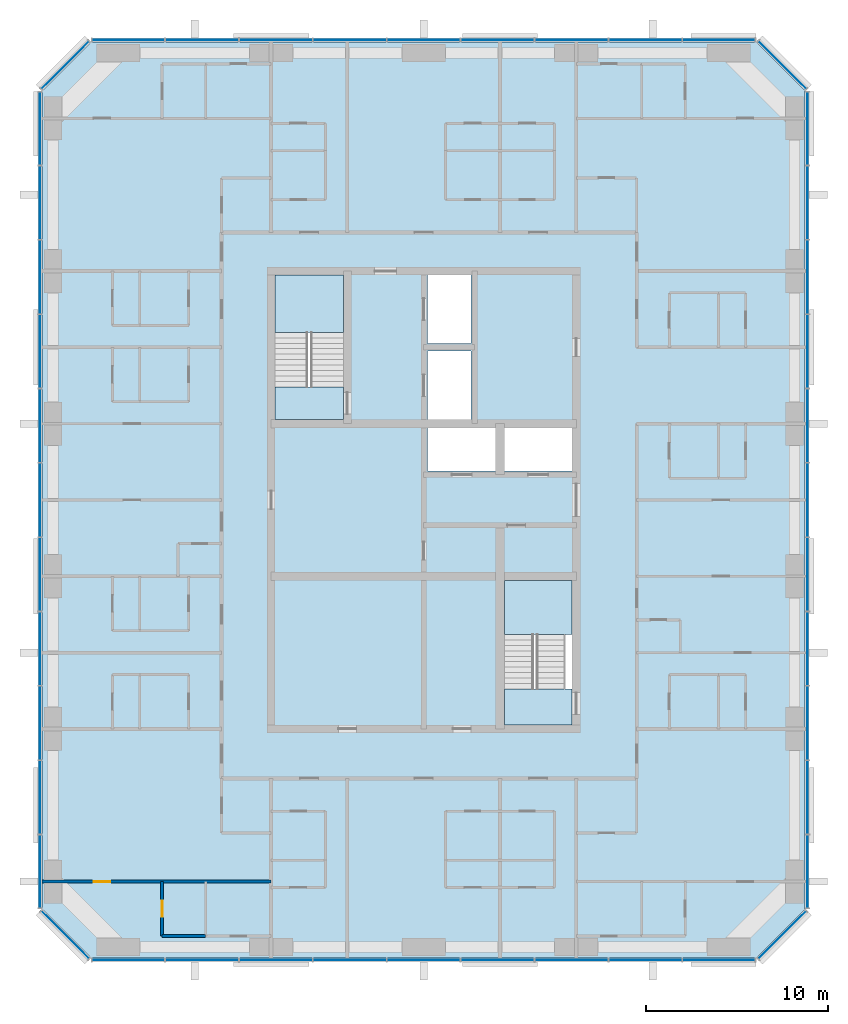
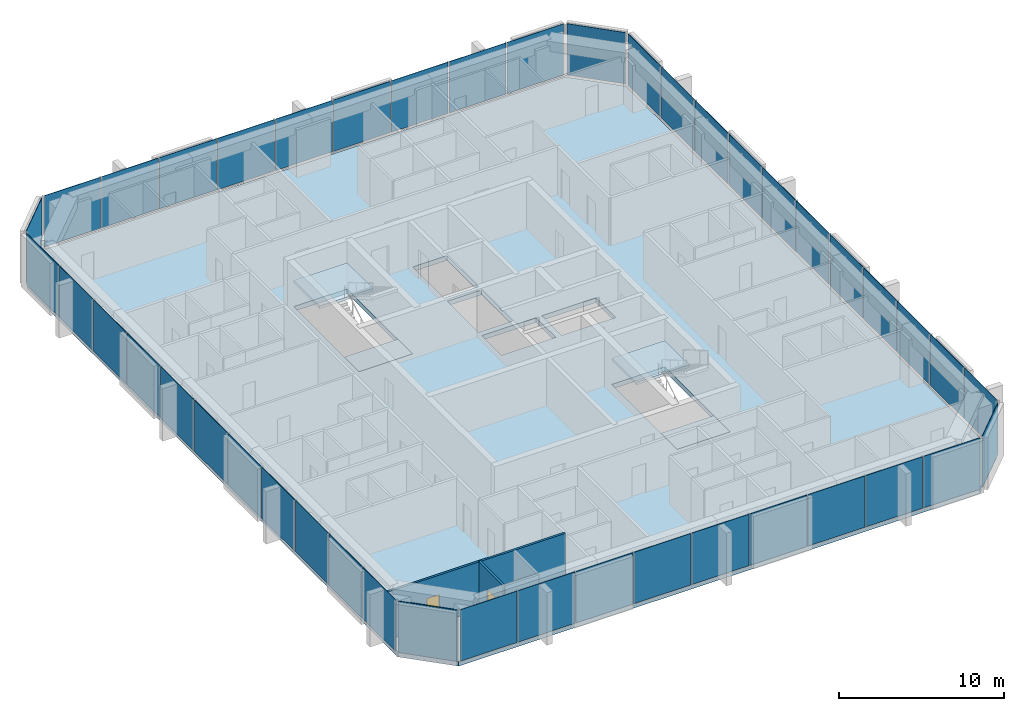
# One storey, part 6 of 12: 44 plates, 5 slabs, 3 walls, 2 doors, 2 openings, 10 elements without a shape of their own.
"""IFC4 building model written with IfcOpenShell, lengths in metres."""

import ifcopenshell
import ifcopenshell.guid

model = None  # the IFC model being written
_history = None  # IfcOwnerHistory: only IFC2X3 demands one
_inside = {}  # id of a spatial element -> (the spatial element, [elements in it])
_under = {}  # id of a project, library or spatial element -> (it, [spatial elements below it])
_declared = {}  # id of a project -> (the project, [libraries it declares])
_typed = {}  # id of a type object -> (the type object, [elements of that type])
_made_of = {}  # id of a material, layer set ... -> (it, [elements and type objects made of it])


def new_model(schema):
    """Start an empty IFC model of exactly this schema.

    Asked for "IFC4X3", IfcOpenShell would pick the latest addendum, in which some entities
    have other attributes; the version numbers below select the first issue.
    IFC2X3 requires an IfcOwnerHistory on every rooted entity: one is made here for all.
    """
    global model, _history
    if schema == "IFC4X3":
        model = ifcopenshell.file(schema_version=(4, 3, 0, 0))
    else:
        model = ifcopenshell.file(schema=schema)
    _inside.clear()
    _under.clear()
    _declared.clear()
    _typed.clear()
    _made_of.clear()
    _history = None
    if model.schema == "IFC2X3":
        org = make("IfcOrganization", Name="unknown")
        user = make(
            "IfcPersonAndOrganization",
            ThePerson=make("IfcPerson", FamilyName="unknown"),
            TheOrganization=org,
        )
        app = make(
            "IfcApplication",
            ApplicationDeveloper=org,
            Version="unknown",
            ApplicationFullName="unknown",
            ApplicationIdentifier="unknown",
        )
        _history = make(
            "IfcOwnerHistory",
            OwningUser=user,
            OwningApplication=app,
            ChangeAction="ADDED",
            CreationDate=0,
        )
    return model


def make(cls, **values):
    """One entity of the class cls with the attributes given. An attribute that is None is left unset."""
    return model.create_entity(
        cls, **{name: value for name, value in values.items() if value is not None}
    )


def rooted(cls, **values):
    """An entity with a GlobalId (a new one), such as an element, a storey or a relation."""
    return make(cls, GlobalId=ifcopenshell.guid.new(), OwnerHistory=_history, **values)


def si_unit(unit_type, name, prefix=None):
    """IfcSIUnit, for example si_unit("LENGTHUNIT", "METRE", prefix="MILLI")."""
    return make("IfcSIUnit", UnitType=unit_type, Prefix=prefix, Name=name)


def assignment(units):
    """IfcUnitAssignment: the units of a project."""
    return None if units is None else make("IfcUnitAssignment", Units=units)


def point(xyz):
    """IfcCartesianPoint."""
    return None if xyz is None else make("IfcCartesianPoint", Coordinates=xyz)


def direction(xyz):
    """IfcDirection."""
    return None if xyz is None else make("IfcDirection", DirectionRatios=xyz)


def frame(location, z_axis=None, x_axis=None):
    """IfcAxis2Placement3D, a coordinate frame: its origin and axes. An axis left out is left unset."""
    return make(
        "IfcAxis2Placement3D",
        Location=point(location),
        Axis=direction(z_axis),
        RefDirection=direction(x_axis),
    )


def frame_2d(location, x_axis=None):
    """IfcAxis2Placement2D, a coordinate frame in the plane: its origin and x axis."""
    return make(
        "IfcAxis2Placement2D", Location=point(location), RefDirection=direction(x_axis)
    )


def origin():
    """The frame at (0, 0, 0) with its axes left unset."""
    return frame((0.0, 0.0, 0.0))


def origin_2d():
    """The frame at (0, 0) in the plane with its x axis left unset."""
    return frame_2d((0.0, 0.0))


def place(relative_to, where):
    """IfcLocalPlacement: puts the frame where relative to a parent placement (None: the world)."""
    return make(
        "IfcLocalPlacement", PlacementRelTo=relative_to, RelativePlacement=where
    )


def context(
    kind, dimensions, precision=None, world=None, true_north=None, identifier=None
):
    """IfcGeometricRepresentationContext, for example the 3D "Model" context."""
    return make(
        "IfcGeometricRepresentationContext",
        ContextIdentifier=identifier,
        ContextType=kind,
        CoordinateSpaceDimension=dimensions,
        Precision=precision,
        WorldCoordinateSystem=world,
        TrueNorth=true_north,
    )


def subcontext(parent, identifier, kind, view, scale=None):
    """IfcGeometricRepresentationSubContext, for example "Body" below "Model"."""
    return make(
        "IfcGeometricRepresentationSubContext",
        ContextIdentifier=identifier,
        ContextType=kind,
        ParentContext=parent,
        TargetScale=scale,
        TargetView=view,
    )


def project(units=None, contexts=None):
    """IfcProject with its units and contexts."""
    return rooted(
        "IfcProject",
        Name="project",
        RepresentationContexts=contexts,
        UnitsInContext=assignment(units),
    )


def spatial(cls, under=None, at=None, **own):
    """A site, building, storey or space (cls), placed at a placement, below another one or the project."""
    s = rooted(cls, ObjectPlacement=at, **own)
    if under is not None:
        _under.setdefault(under.id(), (under, []))[1].append(s)
    return s


def polyline(points):
    """IfcPolyline through the points."""
    return make("IfcPolyline", Points=[point(p) for p in points])


def profile(cls, at=None, kind="AREA", **sizes):
    """A parametric profile (cls). Its sizes go by their IFC names, for example OverallWidth=200.0."""
    return make(cls, ProfileType=kind, Position=at, **sizes)


def rectangle(**sizes):
    """IfcRectangleProfileDef."""
    return profile("IfcRectangleProfileDef", **sizes)


def outline(outer, holes=None, kind="AREA"):
    """IfcArbitraryClosedProfileDef: a profile drawn as a closed curve; with holes, ...WithVoids."""
    if holes is None:
        return make("IfcArbitraryClosedProfileDef", ProfileType=kind, OuterCurve=outer)
    return make(
        "IfcArbitraryProfileDefWithVoids",
        ProfileType=kind,
        OuterCurve=outer,
        InnerCurves=holes,
    )


def extrude(swept, where, along, depth):
    """IfcExtrudedAreaSolid: the profile swept, set in the frame where, extruded along a direction by depth."""
    return make(
        "IfcExtrudedAreaSolid",
        SweptArea=swept,
        Position=where,
        ExtrudedDirection=direction(along),
        Depth=depth,
    )


def shape(context_of_items, identifier, shape_type, items):
    """IfcShapeRepresentation: the items that make up one representation, for example the "Body"."""
    return make(
        "IfcShapeRepresentation",
        ContextOfItems=context_of_items,
        RepresentationIdentifier=identifier,
        RepresentationType=shape_type,
        Items=items,
    )


def material(Name=None, Category=None):
    """IfcMaterial."""
    return make("IfcMaterial", Name=Name, Category=Category)


def layer(
    of_material, thickness, ventilated=None, Name=None, Category=None, Priority=None
):
    """IfcMaterialLayer: one layer of a wall or slab, of a material (None: an air gap)."""
    return make(
        "IfcMaterialLayer",
        Material=of_material,
        LayerThickness=thickness,
        IsVentilated=ventilated,
        Name=Name,
        Category=Category,
        Priority=Priority,
    )


def layer_set(layers, Name=None):
    """IfcMaterialLayerSet."""
    return make("IfcMaterialLayerSet", MaterialLayers=layers, LayerSetName=Name)


def made_of(thing, what):
    """Note that an element or type object is made of a material, layer set ...; save() writes the relation."""
    if what is not None:
        _made_of.setdefault(what.id(), (what, []))[1].append(thing)
    return thing


def type_object(cls, material=None, **own):
    """A type object (cls), such as IfcWallType, which elements share."""
    return made_of(rooted(cls, **own), material)


def element(
    cls,
    number,
    at=None,
    inside=None,
    cuts=None,
    type_object=None,
    material=None,
    context=None,
    identifier="Body",
    shape_type=None,
    held_by="IfcProductDefinitionShape",
    body=None,
    shapes=None,
    **own,
):
    """One element of the class cls, such as IfcWall. Its Tag is "e" and its number.

    at: its placement. inside: the storey or other place that contains it. cuts: it is an
    opening in that element (IfcRelVoidsElement). A single representation is given by context,
    identifier, shape_type and body (its items); several are given by shapes. held_by: the class
    of the entity that holds the representations. save() writes the other relations.
    """
    e = rooted(cls, Tag="e%d" % number, ObjectPlacement=at, **own)
    if body is not None:
        shapes = [shape(context, identifier, shape_type, body)]
    if shapes is not None:
        e.Representation = make(held_by, Representations=shapes)
    if inside is not None:
        _inside.setdefault(inside.id(), (inside, []))[1].append(e)
    if cuts is not None:
        rooted(
            "IfcRelVoidsElement", RelatingBuildingElement=cuts, RelatedOpeningElement=e
        )
    if type_object is not None:
        _typed.setdefault(type_object.id(), (type_object, []))[1].append(e)
    return made_of(e, material)


def fill(opening, filler):
    """IfcRelFillsElement: the door or window that sits in an opening."""
    return rooted(
        "IfcRelFillsElement",
        RelatingOpeningElement=opening,
        RelatedBuildingElement=filler,
    )


def aggregate(whole, parts):
    """IfcRelAggregates: a whole, such as a stair, and the parts it consists of."""
    return rooted("IfcRelAggregates", RelatingObject=whole, RelatedObjects=parts)


def save(model, path):
    """Write the relations noted so far, then the file.

    IfcRelAggregates (storeys below a building ...), IfcRelContainedInSpatialStructure (elements
    in a storey), IfcRelDefinesByType, IfcRelAssociatesMaterial and IfcRelDeclares: one each for
    every whole, place, type object, material and project.
    """
    for whole, parts in _under.values():
        aggregate(whole, parts)
    for where, things in _inside.values():
        rooted(
            "IfcRelContainedInSpatialStructure",
            RelatedElements=things,
            RelatingStructure=where,
        )
    for kind, things in _typed.values():
        rooted("IfcRelDefinesByType", RelatedObjects=things, RelatingType=kind)
    for what, things in _made_of.values():
        rooted("IfcRelAssociatesMaterial", RelatedObjects=things, RelatingMaterial=what)
    for by, libraries in _declared.values():
        rooted("IfcRelDeclares", RelatingContext=by, RelatedDefinitions=libraries)
    model.write(path)


model = new_model("IFC4")

# Units and contexts
model_context = context("Model", 3, precision=1e-05, world=origin(), true_north=direction((0.0, 1.0)))
body_context = subcontext(model_context, "Body", "Model", "MODEL_VIEW")
ifc_project = project(units=[si_unit("LENGTHUNIT", "METRE"), si_unit("AREAUNIT", "SQUARE_METRE"), si_unit("VOLUMEUNIT", "CUBIC_METRE"), si_unit("PLANEANGLEUNIT", "RADIAN"), si_unit("MASSUNIT", "GRAM", prefix="KILO")], contexts=[model_context])

# Site, building, storey
site_placement = place(None, origin())
site = spatial("IfcSite", under=ifc_project, at=site_placement, CompositionType="ELEMENT")
building_placement = place(site_placement, origin())
building = spatial("IfcBuilding", under=site, at=building_placement, Name="Dunama Terrace Hotel", CompositionType="ELEMENT")
storey_placement = place(building_placement, frame((0.0, 0.0, 264.60009765625)))
storey = spatial("IfcBuildingStorey", under=building, at=storey_placement, Name="L68", CompositionType="ELEMENT", Elevation=264.60009765625)

# Curtain wall, plates
ifc_material_1 = material(Name="Aluminium curtain wall system", Category="aluminium")
curtain_wall_type = type_object("IfcCurtainWallType", Name="Unitised fritted glass wall CW-D", PredefinedType="NOTDEFINED", material=ifc_material_1)
curtain_wall_1_placement = place(storey_placement, origin())
curtain_wall_1 = element("IfcCurtainWall", 1, at=curtain_wall_1_placement, inside=storey, type_object=curtain_wall_type, Name="Unitised fritted glass wall CW-D L68", PredefinedType="NOTDEFINED")
ifc_material_2 = material(Name="Laminated glass", Category="glass")
ifc_layer_1 = layer(ifc_material_2, 0.035888671875)
ifc_layer_set_1 = layer_set([ifc_layer_1], Name="CWD clear glass panel")
plate_type_1 = type_object("IfcPlateType", Name="CWD clear glass panel", PredefinedType="CURTAIN_PANEL", material=ifc_layer_set_1)
plate_1_placement = place(storey_placement, frame((17.35107421875, 4.080078125, 0.0849609375), z_axis=(0.0, 0.0, 1.0), x_axis=(1.0, 0.0, 0.0)))
plate_1 = element("IfcPlate", 2, at=plate_1_placement, type_object=plate_type_1, Name="CWD clear glass panel", PredefinedType="CURTAIN_PANEL", context=body_context, shape_type="SweptSolid", body=[
    extrude(rectangle(XDim=3.961669921875, YDim=0.035888671875, at=origin_2d()), origin(), (0.0, 0.0, 1.0), 3.81494140625),
])
plate_2_placement = place(storey_placement, frame((29.532958984375, 4.080078125, 0.0849609375), z_axis=(0.0, 0.0, 1.0), x_axis=(1.0, 0.0, 0.0)))
plate_2 = element("IfcPlate", 3, at=plate_2_placement, type_object=plate_type_1, Name="CWD clear glass panel", PredefinedType="CURTAIN_PANEL", context=body_context, shape_type="SweptSolid", body=[
    extrude(rectangle(XDim=3.99658203125, YDim=0.035888671875, at=origin_2d()), origin(), (0.0, 0.0, 1.0), 3.81494140625),
])
plate_3_placement = place(storey_placement, frame((41.73291015625, 4.080078125, 0.0849609375), z_axis=(0.0, 0.0, 1.0), x_axis=(1.0, 0.0, 0.0)))
plate_3 = element("IfcPlate", 4, at=plate_3_placement, type_object=plate_type_1, Name="CWD clear glass panel", PredefinedType="CURTAIN_PANEL", context=body_context, shape_type="SweptSolid", body=[
    extrude(rectangle(XDim=3.99658203125, YDim=0.035888671875, at=origin_2d()), origin(), (0.0, 0.0, 1.0), 3.81494140625),
])

# Curtain wall, plate
curtain_wall_2_placement = place(storey_placement, origin())
curtain_wall_2 = element("IfcCurtainWall", 5, at=curtain_wall_2_placement, inside=storey, type_object=curtain_wall_type, Name="Unitised fritted glass wall CW-D L68", PredefinedType="NOTDEFINED")
plate_4_placement = place(storey_placement, frame((53.3349609375, 5.465087890625, 0.0849609375), z_axis=(0.0, 0.0, 1.0), x_axis=(0.707106781187, 0.707106781187, 0.0)))
plate_4 = element("IfcPlate", 6, at=plate_4_placement, type_object=plate_type_1, Name="CWD clear glass panel", PredefinedType="CURTAIN_PANEL", context=body_context, shape_type="SweptSolid", body=[
    extrude(rectangle(XDim=3.678466796875, YDim=0.035888671875, at=origin_2d()), origin(), (0.0, 0.0, 1.0), 3.81494140625),
])
aggregate(curtain_wall_2, [plate_4])

# Curtain wall, plates
curtain_wall_3_placement = place(storey_placement, origin())
curtain_wall_3 = element("IfcCurtainWall", 7, at=curtain_wall_3_placement, inside=storey, type_object=curtain_wall_type, Name="Unitised fritted glass wall CW-D L68", PredefinedType="NOTDEFINED")
plate_5_placement = place(storey_placement, frame((54.719970703125, 17.126953125, 0.0849609375), z_axis=(0.0, 0.0, 1.0), x_axis=(0.0, 1.0, 0.0)))
plate_5 = element("IfcPlate", 8, at=plate_5_placement, type_object=plate_type_1, Name="CWD clear glass panel", PredefinedType="CURTAIN_PANEL", context=body_context, shape_type="SweptSolid", body=[
    extrude(rectangle(XDim=4.02099609375, YDim=0.035888671875, at=origin_2d()), origin(), (0.0, 0.0, 1.0), 3.81494140625),
])
plate_6_placement = place(storey_placement, frame((54.719970703125, 29.39990234375, 0.0849609375), z_axis=(0.0, 0.0, 1.0), x_axis=(0.0, 1.0, 0.0)))
plate_6 = element("IfcPlate", 9, at=plate_6_placement, type_object=plate_type_1, Name="CWD clear glass panel", PredefinedType="CURTAIN_PANEL", context=body_context, shape_type="SweptSolid", body=[
    extrude(rectangle(XDim=4.02099609375, YDim=0.035888671875, at=origin_2d()), origin(), (0.0, 0.0, 1.0), 3.81494140625),
])
plate_7_placement = place(storey_placement, frame((54.719970703125, 41.673095703125, 0.0849609375), z_axis=(0.0, 0.0, 1.0), x_axis=(0.0, 1.0, 0.0)))
plate_7 = element("IfcPlate", 10, at=plate_7_placement, type_object=plate_type_1, Name="CWD clear glass panel", PredefinedType="CURTAIN_PANEL", context=body_context, shape_type="SweptSolid", body=[
    extrude(rectangle(XDim=4.02099609375, YDim=0.035888671875, at=origin_2d()), origin(), (0.0, 0.0, 1.0), 3.81494140625),
])

# Curtain wall, plate
curtain_wall_4_placement = place(storey_placement, origin())
curtain_wall_4 = element("IfcCurtainWall", 11, at=curtain_wall_4_placement, inside=storey, type_object=curtain_wall_type, Name="Unitised fritted glass wall CW-D L68", PredefinedType="NOTDEFINED")
plate_8_placement = place(storey_placement, frame((53.3349609375, 53.3349609375, 0.0849609375), z_axis=(0.0, 0.0, 1.0), x_axis=(-0.707106781187, 0.707106781187, 0.0)))
plate_8 = element("IfcPlate", 12, at=plate_8_placement, type_object=plate_type_1, Name="CWD clear glass panel", PredefinedType="CURTAIN_PANEL", context=body_context, shape_type="SweptSolid", body=[
    extrude(rectangle(XDim=3.678466796875, YDim=0.035888671875, at=origin_2d()), origin(), (0.0, 0.0, 1.0), 3.81494140625),
])
aggregate(curtain_wall_4, [plate_8])

# Curtain wall, plates
curtain_wall_5_placement = place(storey_placement, origin())
curtain_wall_5 = element("IfcCurtainWall", 13, at=curtain_wall_5_placement, inside=storey, type_object=curtain_wall_type, Name="Unitised fritted glass wall CW-D L68", PredefinedType="NOTDEFINED")
plate_9_placement = place(storey_placement, frame((41.73291015625, 54.719970703125, 0.0849609375), z_axis=(0.0, 0.0, 1.0), x_axis=(-1.0, 0.0, 0.0)))
plate_9 = element("IfcPlate", 14, at=plate_9_placement, type_object=plate_type_1, Name="CWD clear glass panel", PredefinedType="CURTAIN_PANEL", context=body_context, shape_type="SweptSolid", body=[
    extrude(rectangle(XDim=3.99658203125, YDim=0.035888671875, at=origin_2d()), origin(), (0.0, 0.0, 1.0), 3.81494140625),
])
plate_10_placement = place(storey_placement, frame((29.532958984375, 54.719970703125, 0.0849609375), z_axis=(0.0, 0.0, 1.0), x_axis=(-1.0, 0.0, 0.0)))
plate_10 = element("IfcPlate", 15, at=plate_10_placement, type_object=plate_type_1, Name="CWD clear glass panel", PredefinedType="CURTAIN_PANEL", context=body_context, shape_type="SweptSolid", body=[
    extrude(rectangle(XDim=3.99658203125, YDim=0.035888671875, at=origin_2d()), origin(), (0.0, 0.0, 1.0), 3.81494140625),
])
plate_11_placement = place(storey_placement, frame((17.35107421875, 54.719970703125, 0.0849609375), z_axis=(0.0, 0.0, 1.0), x_axis=(-1.0, 0.0, 0.0)))
plate_11 = element("IfcPlate", 16, at=plate_11_placement, type_object=plate_type_1, Name="CWD clear glass panel", PredefinedType="CURTAIN_PANEL", context=body_context, shape_type="SweptSolid", body=[
    extrude(rectangle(XDim=3.961669921875, YDim=0.035888671875, at=origin_2d()), origin(), (0.0, 0.0, 1.0), 3.81494140625),
])

curtain_wall_6_placement = place(storey_placement, origin())
curtain_wall_6 = element("IfcCurtainWall", 17, at=curtain_wall_6_placement, inside=storey, type_object=curtain_wall_type, Name="Unitised fritted glass wall CW-D L68", PredefinedType="NOTDEFINED")
plate_12_placement = place(storey_placement, frame((12.47998046875, 45.763916015625, 0.0849609375), z_axis=(0.0, 0.0, 1.0), x_axis=(0.0, -1.0, 0.0)))
plate_12 = element("IfcPlate", 18, at=plate_12_placement, type_object=plate_type_1, Name="CWD clear glass panel", PredefinedType="CURTAIN_PANEL", context=body_context, shape_type="SweptSolid", body=[
    extrude(rectangle(XDim=4.02099609375, YDim=0.035888671875, at=origin_2d()), origin(), (0.0, 0.0, 1.0), 3.81494140625),
])
plate_13_placement = place(storey_placement, frame((12.47998046875, 33.490966796875, 0.0849609375), z_axis=(0.0, 0.0, 1.0), x_axis=(0.0, -1.0, 0.0)))
plate_13 = element("IfcPlate", 19, at=plate_13_placement, type_object=plate_type_1, Name="CWD clear glass panel", PredefinedType="CURTAIN_PANEL", context=body_context, shape_type="SweptSolid", body=[
    extrude(rectangle(XDim=4.02099609375, YDim=0.035888671875, at=origin_2d()), origin(), (0.0, 0.0, 1.0), 3.81494140625),
])
plate_14_placement = place(storey_placement, frame((12.47998046875, 21.218017578125, 0.0849609375), z_axis=(0.0, 0.0, 1.0), x_axis=(0.0, -1.0, 0.0)))
plate_14 = element("IfcPlate", 20, at=plate_14_placement, type_object=plate_type_1, Name="CWD clear glass panel", PredefinedType="CURTAIN_PANEL", context=body_context, shape_type="SweptSolid", body=[
    extrude(rectangle(XDim=4.02099609375, YDim=0.035888671875, at=origin_2d()), origin(), (0.0, 0.0, 1.0), 3.81494140625),
])
plate_15_placement = place(storey_placement, frame((12.47998046875, 8.962890625, 0.0849609375), z_axis=(0.0, 0.0, 1.0), x_axis=(0.0, -1.0, 0.0)))
plate_15 = element("IfcPlate", 21, at=plate_15_placement, type_object=plate_type_1, Name="CWD clear glass panel", PredefinedType="CURTAIN_PANEL", context=body_context, shape_type="SweptSolid", body=[
    extrude(rectangle(XDim=3.98583984375, YDim=0.035888671875, at=origin_2d()), origin(), (0.0, 0.0, 1.0), 3.81494140625),
])

# Plate
ifc_material_3 = material(Name="Fritted laminated glass", Category="glass")
ifc_layer_2 = layer(ifc_material_3, 0.035888671875)
ifc_layer_set_2 = layer_set([ifc_layer_2], Name="CWD fritted glass panel")
plate_type_2 = type_object("IfcPlateType", Name="CWD fritted glass panel", PredefinedType="CURTAIN_PANEL", material=ifc_layer_set_2)
plate_16_placement = place(storey_placement, frame((25.467041015625, 4.080078125, 0.0849609375), z_axis=(0.0, 0.0, 1.0), x_axis=(1.0, 0.0, 0.0)))
plate_16 = element("IfcPlate", 22, at=plate_16_placement, type_object=plate_type_2, Name="CWD fritted glass panel", PredefinedType="CURTAIN_PANEL", context=body_context, shape_type="SweptSolid", body=[
    extrude(rectangle(XDim=3.99658203125, YDim=0.035888671875, at=origin_2d()), origin(), (0.0, 0.0, 1.0), 3.81494140625),
])

plate_17_placement = place(storey_placement, frame((37.6669921875, 4.080078125, 0.0849609375), z_axis=(0.0, 0.0, 1.0), x_axis=(1.0, 0.0, 0.0)))
plate_17 = element("IfcPlate", 23, at=plate_17_placement, type_object=plate_type_2, Name="CWD fritted glass panel", PredefinedType="CURTAIN_PANEL", context=body_context, shape_type="SweptSolid", body=[
    extrude(rectangle(XDim=3.99658203125, YDim=0.035888671875, at=origin_2d()), origin(), (0.0, 0.0, 1.0), 3.81494140625),
])

plate_18_placement = place(storey_placement, frame((49.84912109375, 4.080078125, 0.0849609375), z_axis=(0.0, 0.0, 1.0), x_axis=(1.0, 0.0, 0.0)))
plate_18 = element("IfcPlate", 24, at=plate_18_placement, type_object=plate_type_2, Name="CWD fritted glass panel", PredefinedType="CURTAIN_PANEL", context=body_context, shape_type="SweptSolid", body=[
    extrude(rectangle(XDim=3.961669921875, YDim=0.035888671875, at=origin_2d()), origin(), (0.0, 0.0, 1.0), 3.81494140625),
])

plate_19_placement = place(storey_placement, frame((54.719970703125, 13.035888671875, 0.0849609375), z_axis=(0.0, 0.0, 1.0), x_axis=(0.0, 1.0, 0.0)))
plate_19 = element("IfcPlate", 25, at=plate_19_placement, type_object=plate_type_2, Name="CWD fritted glass panel", PredefinedType="CURTAIN_PANEL", context=body_context, shape_type="SweptSolid", body=[
    extrude(rectangle(XDim=4.02099609375, YDim=0.035888671875, at=origin_2d()), origin(), (0.0, 0.0, 1.0), 3.81494140625),
])

plate_20_placement = place(storey_placement, frame((54.719970703125, 25.30908203125, 0.0849609375), z_axis=(0.0, 0.0, 1.0), x_axis=(0.0, 1.0, 0.0)))
plate_20 = element("IfcPlate", 26, at=plate_20_placement, type_object=plate_type_2, Name="CWD fritted glass panel", PredefinedType="CURTAIN_PANEL", context=body_context, shape_type="SweptSolid", body=[
    extrude(rectangle(XDim=4.02099609375, YDim=0.035888671875, at=origin_2d()), origin(), (0.0, 0.0, 1.0), 3.81494140625),
])

plate_21_placement = place(storey_placement, frame((54.719970703125, 37.58203125, 0.0849609375), z_axis=(0.0, 0.0, 1.0), x_axis=(0.0, 1.0, 0.0)))
plate_21 = element("IfcPlate", 27, at=plate_21_placement, type_object=plate_type_2, Name="CWD fritted glass panel", PredefinedType="CURTAIN_PANEL", context=body_context, shape_type="SweptSolid", body=[
    extrude(rectangle(XDim=4.02099609375, YDim=0.035888671875, at=origin_2d()), origin(), (0.0, 0.0, 1.0), 3.81494140625),
])

plate_22_placement = place(storey_placement, frame((54.719970703125, 49.8369140625, 0.0849609375), z_axis=(0.0, 0.0, 1.0), x_axis=(0.0, 1.0, 0.0)))
plate_22 = element("IfcPlate", 28, at=plate_22_placement, type_object=plate_type_2, Name="CWD fritted glass panel", PredefinedType="CURTAIN_PANEL", context=body_context, shape_type="SweptSolid", body=[
    extrude(rectangle(XDim=3.98583984375, YDim=0.035888671875, at=origin_2d()), origin(), (0.0, 0.0, 1.0), 3.81494140625),
])

plate_23_placement = place(storey_placement, frame((45.800048828125, 54.719970703125, 0.0849609375), z_axis=(0.0, 0.0, 1.0), x_axis=(-1.0, 0.0, 0.0)))
plate_23 = element("IfcPlate", 29, at=plate_23_placement, type_object=plate_type_2, Name="CWD fritted glass panel", PredefinedType="CURTAIN_PANEL", context=body_context, shape_type="SweptSolid", body=[
    extrude(rectangle(XDim=3.99658203125, YDim=0.035888671875, at=origin_2d()), origin(), (0.0, 0.0, 1.0), 3.81494140625),
])

plate_24_placement = place(storey_placement, frame((33.60009765625, 54.719970703125, 0.0849609375), z_axis=(0.0, 0.0, 1.0), x_axis=(-1.0, 0.0, 0.0)))
plate_24 = element("IfcPlate", 30, at=plate_24_placement, type_object=plate_type_2, Name="CWD fritted glass panel", PredefinedType="CURTAIN_PANEL", context=body_context, shape_type="SweptSolid", body=[
    extrude(rectangle(XDim=3.99658203125, YDim=0.035888671875, at=origin_2d()), origin(), (0.0, 0.0, 1.0), 3.81494140625),
])

plate_25_placement = place(storey_placement, frame((21.39990234375, 54.719970703125, 0.0849609375), z_axis=(0.0, 0.0, 1.0), x_axis=(-1.0, 0.0, 0.0)))
plate_25 = element("IfcPlate", 31, at=plate_25_placement, type_object=plate_type_2, Name="CWD fritted glass panel", PredefinedType="CURTAIN_PANEL", context=body_context, shape_type="SweptSolid", body=[
    extrude(rectangle(XDim=3.99658203125, YDim=0.035888671875, at=origin_2d()), origin(), (0.0, 0.0, 1.0), 3.81494140625),
])

plate_26_placement = place(storey_placement, frame((12.47998046875, 49.8369140625, 0.0849609375), z_axis=(0.0, 0.0, 1.0), x_axis=(0.0, -1.0, 0.0)))
plate_26 = element("IfcPlate", 32, at=plate_26_placement, type_object=plate_type_2, Name="CWD fritted glass panel", PredefinedType="CURTAIN_PANEL", context=body_context, shape_type="SweptSolid", body=[
    extrude(rectangle(XDim=3.98583984375, YDim=0.035888671875, at=origin_2d()), origin(), (0.0, 0.0, 1.0), 3.81494140625),
])

plate_27_placement = place(storey_placement, frame((12.47998046875, 37.58203125, 0.0849609375), z_axis=(0.0, 0.0, 1.0), x_axis=(0.0, -1.0, 0.0)))
plate_27 = element("IfcPlate", 33, at=plate_27_placement, type_object=plate_type_2, Name="CWD fritted glass panel", PredefinedType="CURTAIN_PANEL", context=body_context, shape_type="SweptSolid", body=[
    extrude(rectangle(XDim=4.02099609375, YDim=0.035888671875, at=origin_2d()), origin(), (0.0, 0.0, 1.0), 3.81494140625),
])

plate_28_placement = place(storey_placement, frame((12.47998046875, 25.30908203125, 0.0849609375), z_axis=(0.0, 0.0, 1.0), x_axis=(0.0, -1.0, 0.0)))
plate_28 = element("IfcPlate", 34, at=plate_28_placement, type_object=plate_type_2, Name="CWD fritted glass panel", PredefinedType="CURTAIN_PANEL", context=body_context, shape_type="SweptSolid", body=[
    extrude(rectangle(XDim=4.02099609375, YDim=0.035888671875, at=origin_2d()), origin(), (0.0, 0.0, 1.0), 3.81494140625),
])

plate_29_placement = place(storey_placement, frame((12.47998046875, 13.035888671875, 0.0849609375), z_axis=(0.0, 0.0, 1.0), x_axis=(0.0, -1.0, 0.0)))
plate_29 = element("IfcPlate", 35, at=plate_29_placement, type_object=plate_type_2, Name="CWD fritted glass panel", PredefinedType="CURTAIN_PANEL", context=body_context, shape_type="SweptSolid", body=[
    extrude(rectangle(XDim=4.02099609375, YDim=0.035888671875, at=origin_2d()), origin(), (0.0, 0.0, 1.0), 3.81494140625),
])

ifc_material_4 = material(Name="Laminated glass", Category="glass")
ifc_layer_3 = layer(ifc_material_4, 0.035888671875)
ifc_layer_set_3 = layer_set([ifc_layer_3], Name="CWD operable glass panel")
plate_type_3 = type_object("IfcPlateType", Name="CWD operable glass panel", PredefinedType="CURTAIN_PANEL", material=ifc_layer_set_3)
plate_30_placement = place(storey_placement, frame((21.39990234375, 4.080078125, 0.0849609375), z_axis=(0.0, 0.0, 1.0), x_axis=(1.0, 0.0, 0.0)))
plate_30 = element("IfcPlate", 36, at=plate_30_placement, type_object=plate_type_3, Name="CWD operable glass panel", PredefinedType="CURTAIN_PANEL", context=body_context, shape_type="SweptSolid", body=[
    extrude(rectangle(XDim=3.99658203125, YDim=0.035888671875, at=origin_2d()), origin(), (0.0, 0.0, 1.0), 3.81494140625),
])

plate_31_placement = place(storey_placement, frame((33.60009765625, 4.080078125, 0.0849609375), z_axis=(0.0, 0.0, 1.0), x_axis=(1.0, 0.0, 0.0)))
plate_31 = element("IfcPlate", 37, at=plate_31_placement, type_object=plate_type_3, Name="CWD operable glass panel", PredefinedType="CURTAIN_PANEL", context=body_context, shape_type="SweptSolid", body=[
    extrude(rectangle(XDim=3.99658203125, YDim=0.035888671875, at=origin_2d()), origin(), (0.0, 0.0, 1.0), 3.81494140625),
])

plate_32_placement = place(storey_placement, frame((45.800048828125, 4.080078125, 0.0849609375), z_axis=(0.0, 0.0, 1.0), x_axis=(1.0, 0.0, 0.0)))
plate_32 = element("IfcPlate", 38, at=plate_32_placement, type_object=plate_type_3, Name="CWD operable glass panel", PredefinedType="CURTAIN_PANEL", context=body_context, shape_type="SweptSolid", body=[
    extrude(rectangle(XDim=3.99658203125, YDim=0.035888671875, at=origin_2d()), origin(), (0.0, 0.0, 1.0), 3.81494140625),
])

aggregate(curtain_wall_1, [plate_1, plate_30, plate_16, plate_2, plate_31, plate_17, plate_3, plate_32, plate_18])

plate_33_placement = place(storey_placement, frame((54.719970703125, 8.962890625, 0.0849609375), z_axis=(0.0, 0.0, 1.0), x_axis=(0.0, 1.0, 0.0)))
plate_33 = element("IfcPlate", 39, at=plate_33_placement, type_object=plate_type_3, Name="CWD operable glass panel", PredefinedType="CURTAIN_PANEL", context=body_context, shape_type="SweptSolid", body=[
    extrude(rectangle(XDim=3.98583984375, YDim=0.035888671875, at=origin_2d()), origin(), (0.0, 0.0, 1.0), 3.81494140625),
])

plate_34_placement = place(storey_placement, frame((54.719970703125, 21.218017578125, 0.0849609375), z_axis=(0.0, 0.0, 1.0), x_axis=(0.0, 1.0, 0.0)))
plate_34 = element("IfcPlate", 40, at=plate_34_placement, type_object=plate_type_3, Name="CWD operable glass panel", PredefinedType="CURTAIN_PANEL", context=body_context, shape_type="SweptSolid", body=[
    extrude(rectangle(XDim=4.02099609375, YDim=0.035888671875, at=origin_2d()), origin(), (0.0, 0.0, 1.0), 3.81494140625),
])

plate_35_placement = place(storey_placement, frame((54.719970703125, 33.490966796875, 0.0849609375), z_axis=(0.0, 0.0, 1.0), x_axis=(0.0, 1.0, 0.0)))
plate_35 = element("IfcPlate", 41, at=plate_35_placement, type_object=plate_type_3, Name="CWD operable glass panel", PredefinedType="CURTAIN_PANEL", context=body_context, shape_type="SweptSolid", body=[
    extrude(rectangle(XDim=4.02099609375, YDim=0.035888671875, at=origin_2d()), origin(), (0.0, 0.0, 1.0), 3.81494140625),
])

plate_36_placement = place(storey_placement, frame((54.719970703125, 45.763916015625, 0.0849609375), z_axis=(0.0, 0.0, 1.0), x_axis=(0.0, 1.0, 0.0)))
plate_36 = element("IfcPlate", 42, at=plate_36_placement, type_object=plate_type_3, Name="CWD operable glass panel", PredefinedType="CURTAIN_PANEL", context=body_context, shape_type="SweptSolid", body=[
    extrude(rectangle(XDim=4.02099609375, YDim=0.035888671875, at=origin_2d()), origin(), (0.0, 0.0, 1.0), 3.81494140625),
])

aggregate(curtain_wall_3, [plate_33, plate_19, plate_5, plate_34, plate_20, plate_6, plate_35, plate_21, plate_7, plate_36, plate_22])

plate_37_placement = place(storey_placement, frame((49.84912109375, 54.719970703125, 0.0849609375), z_axis=(0.0, 0.0, 1.0), x_axis=(-1.0, 0.0, 0.0)))
plate_37 = element("IfcPlate", 43, at=plate_37_placement, type_object=plate_type_3, Name="CWD operable glass panel", PredefinedType="CURTAIN_PANEL", context=body_context, shape_type="SweptSolid", body=[
    extrude(rectangle(XDim=3.961669921875, YDim=0.035888671875, at=origin_2d()), origin(), (0.0, 0.0, 1.0), 3.81494140625),
])

plate_38_placement = place(storey_placement, frame((37.6669921875, 54.719970703125, 0.0849609375), z_axis=(0.0, 0.0, 1.0), x_axis=(-1.0, 0.0, 0.0)))
plate_38 = element("IfcPlate", 44, at=plate_38_placement, type_object=plate_type_3, Name="CWD operable glass panel", PredefinedType="CURTAIN_PANEL", context=body_context, shape_type="SweptSolid", body=[
    extrude(rectangle(XDim=3.99658203125, YDim=0.035888671875, at=origin_2d()), origin(), (0.0, 0.0, 1.0), 3.81494140625),
])

plate_39_placement = place(storey_placement, frame((25.467041015625, 54.719970703125, 0.0849609375), z_axis=(0.0, 0.0, 1.0), x_axis=(-1.0, 0.0, 0.0)))
plate_39 = element("IfcPlate", 45, at=plate_39_placement, type_object=plate_type_3, Name="CWD operable glass panel", PredefinedType="CURTAIN_PANEL", context=body_context, shape_type="SweptSolid", body=[
    extrude(rectangle(XDim=3.99658203125, YDim=0.035888671875, at=origin_2d()), origin(), (0.0, 0.0, 1.0), 3.81494140625),
])

aggregate(curtain_wall_5, [plate_37, plate_23, plate_9, plate_38, plate_24, plate_10, plate_39, plate_25, plate_11])

# Curtain wall, plate
curtain_wall_7_placement = place(storey_placement, origin())
curtain_wall_7 = element("IfcCurtainWall", 46, at=curtain_wall_7_placement, inside=storey, type_object=curtain_wall_type, Name="Unitised fritted glass wall CW-D L68", PredefinedType="NOTDEFINED")
plate_40_placement = place(storey_placement, frame((13.864990234375, 53.3349609375, 0.0849609375), z_axis=(0.0, 0.0, 1.0), x_axis=(-0.707106781187, -0.707106781187, 0.0)))
plate_40 = element("IfcPlate", 47, at=plate_40_placement, type_object=plate_type_3, Name="CWD operable glass panel", PredefinedType="CURTAIN_PANEL", context=body_context, shape_type="SweptSolid", body=[
    extrude(rectangle(XDim=3.678466796875, YDim=0.035888671875, at=origin_2d()), origin(), (0.0, 0.0, 1.0), 3.81494140625),
])
aggregate(curtain_wall_7, [plate_40])

# Plate
plate_41_placement = place(storey_placement, frame((12.47998046875, 41.673095703125, 0.0849609375), z_axis=(0.0, 0.0, 1.0), x_axis=(0.0, -1.0, 0.0)))
plate_41 = element("IfcPlate", 48, at=plate_41_placement, type_object=plate_type_3, Name="CWD operable glass panel", PredefinedType="CURTAIN_PANEL", context=body_context, shape_type="SweptSolid", body=[
    extrude(rectangle(XDim=4.02099609375, YDim=0.035888671875, at=origin_2d()), origin(), (0.0, 0.0, 1.0), 3.81494140625),
])

plate_42_placement = place(storey_placement, frame((12.47998046875, 29.39990234375, 0.0849609375), z_axis=(0.0, 0.0, 1.0), x_axis=(0.0, -1.0, 0.0)))
plate_42 = element("IfcPlate", 49, at=plate_42_placement, type_object=plate_type_3, Name="CWD operable glass panel", PredefinedType="CURTAIN_PANEL", context=body_context, shape_type="SweptSolid", body=[
    extrude(rectangle(XDim=4.02099609375, YDim=0.035888671875, at=origin_2d()), origin(), (0.0, 0.0, 1.0), 3.81494140625),
])

plate_43_placement = place(storey_placement, frame((12.47998046875, 17.126953125, 0.0849609375), z_axis=(0.0, 0.0, 1.0), x_axis=(0.0, -1.0, 0.0)))
plate_43 = element("IfcPlate", 50, at=plate_43_placement, type_object=plate_type_3, Name="CWD operable glass panel", PredefinedType="CURTAIN_PANEL", context=body_context, shape_type="SweptSolid", body=[
    extrude(rectangle(XDim=4.02099609375, YDim=0.035888671875, at=origin_2d()), origin(), (0.0, 0.0, 1.0), 3.81494140625),
])

aggregate(curtain_wall_6, [plate_26, plate_12, plate_41, plate_27, plate_13, plate_42, plate_28, plate_14, plate_43, plate_29, plate_15])

# Curtain wall, plate
curtain_wall_8_placement = place(storey_placement, origin())
curtain_wall_8 = element("IfcCurtainWall", 51, at=curtain_wall_8_placement, inside=storey, type_object=curtain_wall_type, Name="Unitised fritted glass wall CW-D L68", PredefinedType="NOTDEFINED")
plate_44_placement = place(storey_placement, frame((13.864990234375, 5.465087890625, 0.0849609375), z_axis=(0.0, 0.0, 1.0), x_axis=(0.707106781187, -0.707106781187, 0.0)))
plate_44 = element("IfcPlate", 52, at=plate_44_placement, type_object=plate_type_3, Name="CWD operable glass panel", PredefinedType="CURTAIN_PANEL", context=body_context, shape_type="SweptSolid", body=[
    extrude(rectangle(XDim=3.678466796875, YDim=0.035888671875, at=origin_2d()), origin(), (0.0, 0.0, 1.0), 3.81494140625),
])
aggregate(curtain_wall_8, [plate_44])

# Slab
ifc_material_5 = material(Name="Concrete C40/50", Category="concrete")
ifc_layer_4 = layer(ifc_material_5, 0.35009765625)
ifc_layer_set_4 = layer_set([ifc_layer_4], Name="Flat plate 350")
slab_type_1 = type_object("IfcSlabType", Name="Flat plate 350", PredefinedType="FLOOR", material=ifc_layer_set_4)
slab_1_placement = place(storey_placement, frame((0.0, 0.0, -0.35009765625)))
element("IfcSlab", 53, at=slab_1_placement, inside=storey, type_object=slab_type_1, Name="Floor slab L68", PredefinedType="FLOOR", context=body_context, shape_type="SweptSolid", body=[
    extrude(outline(polyline([(15.300048828125, 4.199951171875), (51.89990234375, 4.199951171875), (54.60009765625, 6.89990234375), (54.60009765625, 51.89990234375), (51.89990234375, 54.60009765625), (15.300048828125, 54.60009765625), (12.60009765625, 51.89990234375), (12.60009765625, 6.89990234375), (15.300048828125, 4.199951171875)]), holes=[polyline([(37.60009765625, 31.0), (37.60009765625, 33.39990234375), (33.800048828125, 33.39990234375), (33.800048828125, 31.0), (37.60009765625, 31.0)]), polyline([(41.800048828125, 31.0), (41.800048828125, 33.39990234375), (38.0, 33.39990234375), (38.0, 31.0), (41.800048828125, 31.0)]), polyline([(36.199951171875, 38.0), (36.199951171875, 41.800048828125), (33.800048828125, 41.800048828125), (33.800048828125, 38.0), (36.199951171875, 38.0)]), polyline([(36.199951171875, 33.800048828125), (36.199951171875, 37.60009765625), (33.800048828125, 37.60009765625), (33.800048828125, 33.800048828125), (36.199951171875, 33.800048828125)]), polyline([(29.175048828125, 33.824951171875), (29.175048828125, 41.77490234375), (25.425048828125, 41.77490234375), (25.425048828125, 33.824951171875), (29.175048828125, 33.824951171875)]), polyline([(41.77490234375, 17.02490234375), (41.77490234375, 24.97509765625), (38.050048828125, 24.97509765625), (38.050048828125, 17.02490234375), (41.77490234375, 17.02490234375)])]), origin(), (0.0, 0.0, 1.0), 0.35009765625),
])

# Stair, slabs
ifc_material_6 = material(Name="Concrete C40/50", Category="concrete")
stair_type_1 = type_object("IfcStairType", Name="Stair ST1-3900-1800", PredefinedType="HALF_TURN_STAIR", material=ifc_material_6)
stair_1_placement = place(storey_placement, origin())
stair_1 = element("IfcStair", 54, at=stair_1_placement, inside=storey, type_object=stair_type_1, Name="Stair ST1 L68", PredefinedType="HALF_TURN_STAIR")
ifc_material_7 = material(Name="Concrete C40/50", Category="concrete")
ifc_layer_5 = layer(ifc_material_7, 0.199951171875)
ifc_layer_set_5 = layer_set([ifc_layer_5], Name="Stair landing 200")
slab_type_2 = type_object("IfcSlabType", Name="Stair landing 200", PredefinedType="LANDING", material=ifc_layer_set_5)
slab_2_placement = place(storey_placement, frame((0.0, 0.0, -0.2001953125)))
slab_2 = element("IfcSlab", 55, at=slab_2_placement, type_object=slab_type_2, Name="ST1 landing 1, type S10", PredefinedType="LANDING", context=body_context, shape_type="SweptSolid", body=[
    extrude(outline(polyline([(25.425048828125, 33.824951171875), (29.175048828125, 33.824951171875), (29.175048828125, 35.625), (25.425048828125, 35.625), (25.425048828125, 33.824951171875)])), origin(), (0.0, 0.0, 1.0), 0.2001953125),
])
slab_3_placement = place(storey_placement, frame((0.0, 0.0, 1.75)))
slab_3 = element("IfcSlab", 56, at=slab_3_placement, type_object=slab_type_2, Name="ST1 landing 2, type S10", PredefinedType="LANDING", context=body_context, shape_type="SweptSolid", body=[
    extrude(outline(polyline([(25.425048828125, 38.625), (29.175048828125, 38.625), (29.175048828125, 41.77490234375), (25.425048828125, 41.77490234375), (25.425048828125, 38.625)])), origin(), (0.0, 0.0, 1.0), 0.199951171875),
])
aggregate(stair_1, [slab_2, slab_3])

ifc_material_8 = material(Name="Concrete C40/50", Category="concrete")
stair_type_2 = type_object("IfcStairType", Name="Stair ST2-3900-1600", PredefinedType="HALF_TURN_STAIR", material=ifc_material_8)
stair_2_placement = place(storey_placement, origin())
stair_2 = element("IfcStair", 57, at=stair_2_placement, inside=storey, type_object=stair_type_2, Name="Stair ST2 L68", PredefinedType="HALF_TURN_STAIR")
slab_4_placement = place(storey_placement, frame((0.0, 0.0, -0.2001953125)))
slab_4 = element("IfcSlab", 58, at=slab_4_placement, type_object=slab_type_2, Name="ST2 landing 1, type S10", PredefinedType="LANDING", context=body_context, shape_type="SweptSolid", body=[
    extrude(outline(polyline([(38.050048828125, 17.02490234375), (41.77490234375, 17.02490234375), (41.77490234375, 19.0), (38.050048828125, 19.0), (38.050048828125, 17.02490234375)])), origin(), (0.0, 0.0, 1.0), 0.2001953125),
])
slab_5_placement = place(storey_placement, frame((0.0, 0.0, 1.75)))
slab_5 = element("IfcSlab", 59, at=slab_5_placement, type_object=slab_type_2, Name="ST2 landing 2, type S10", PredefinedType="LANDING", context=body_context, shape_type="SweptSolid", body=[
    extrude(outline(polyline([(38.050048828125, 22.0), (41.77490234375, 22.0), (41.77490234375, 24.97509765625), (38.050048828125, 24.97509765625), (38.050048828125, 22.0)])), origin(), (0.0, 0.0, 1.0), 0.199951171875),
])
aggregate(stair_2, [slab_4, slab_5])

# Wall, opening, door
ifc_material_9 = material(Name="Gypsum board partition", Category="masonry")
ifc_layer_6 = layer(ifc_material_9, 0.14990234375)
ifc_layer_set_6 = layer_set([ifc_layer_6], Name="Room partition 150")
wall_type = type_object("IfcWallType", Name="Room partition 150", PredefinedType="PARTITIONING", material=ifc_layer_set_6)
wall_1_placement = place(storey_placement, frame((19.199951171875, 5.39990234375, 0.0), z_axis=(0.0, 0.0, 1.0), x_axis=(0.0, 1.0, 0.0)))
wall_1 = element("IfcWall", 60, at=wall_1_placement, inside=storey, type_object=wall_type, Name="Room partition 150 L68", PredefinedType="PARTITIONING", context=body_context, shape_type="SweptSolid", body=[
    extrude(rectangle(XDim=3.0, YDim=0.14990234375, at=frame_2d((1.5, 0.0))), origin(), (0.0, 0.0, 1.0), 3.5498046875),
])
opening_1_placement = place(wall_1_placement, frame((1.050048828125, 0.0, 0.0)))
opening_1 = element("IfcOpeningElement", 61, at=opening_1_placement, cuts=wall_1, Name="Opening L68-70-056", PredefinedType="OPENING", context=body_context, shape_type="SweptSolid", body=[
    extrude(rectangle(XDim=0.89990234375, YDim=2.10009765625, at=frame_2d((0.449951171875, 1.050048828125))), frame((0.0, 0.0849609375, 0.0), z_axis=(0.0, -1.0, 0.0), x_axis=(1.0, 0.0, 0.0)), (0.0, 0.0, 1.0), 0.169921875),
])
ifc_material_10 = material(Name="Timber door with steel frame", Category="steel")
door_type = type_object("IfcDoorType", Name="Suite internal door 900", OperationType="SINGLE_SWING_LEFT", PredefinedType="DOOR", material=ifc_material_10)
door_1_placement = place(opening_1_placement, frame((0.89990234375, 0.0, 0.0), z_axis=(0.0, 0.0, 1.0), x_axis=(-1.0, 0.0, 0.0)))
door_1 = element("IfcDoor", 62, at=door_1_placement, inside=storey, type_object=door_type, Name="Door to dressing room L68-70-056, type D16", OperationType="SINGLE_SWING_RIGHT", OverallHeight=2.10009765625, OverallWidth=0.89990234375, PredefinedType="DOOR", context=body_context, shape_type="SweptSolid", body=[
    extrude(rectangle(XDim=0.89990234375, YDim=2.10009765625, at=frame_2d((0.449951171875, 1.050048828125))), frame((0.0, 0.025146484375, 0.0), z_axis=(0.0, -1.0, 0.0), x_axis=(1.0, 0.0, 0.0)), (0.0, 0.0, 1.0), 0.050048828125),
])
fill(opening_1, door_1)

# Wall
wall_2_placement = place(storey_placement, frame((19.199951171875, 5.39990234375, 0.0), z_axis=(0.0, 0.0, 1.0), x_axis=(1.0, 0.0, 0.0)))
element("IfcWall", 63, at=wall_2_placement, inside=storey, type_object=wall_type, Name="Room partition 150 L68", PredefinedType="PARTITIONING", context=body_context, shape_type="SweptSolid", body=[
    extrude(rectangle(XDim=2.400146484375, YDim=0.14990234375, at=frame_2d((1.2001953125, 0.0))), origin(), (0.0, 0.0, 1.0), 3.5498046875),
])

# Wall, opening, door
wall_3_placement = place(storey_placement, frame((12.58203125, 8.39990234375, 0.0), z_axis=(0.0, 0.0, 1.0), x_axis=(1.0, 0.0, 0.0)))
wall_3 = element("IfcWall", 64, at=wall_3_placement, inside=storey, type_object=wall_type, Name="Room partition 150 L68", PredefinedType="PARTITIONING", context=body_context, shape_type="SweptSolid", body=[
    extrude(rectangle(XDim=12.617919921875, YDim=0.14990234375, at=frame_2d((6.30908203125, 0.0))), origin(), (0.0, 0.0, 1.0), 3.5498046875),
])
opening_2_placement = place(wall_3_placement, frame((2.867919921875, 0.0, 0.0)))
opening_2 = element("IfcOpeningElement", 65, at=opening_2_placement, cuts=wall_3, Name="Opening L68-70-054", PredefinedType="OPENING", context=body_context, shape_type="SweptSolid", body=[
    extrude(rectangle(XDim=0.89990234375, YDim=2.10009765625, at=frame_2d((0.449951171875, 1.050048828125))), frame((0.0, 0.0849609375, 0.0), z_axis=(0.0, -1.0, 0.0), x_axis=(1.0, 0.0, 0.0)), (0.0, 0.0, 1.0), 0.169921875),
])
door_2_placement = place(opening_2_placement, frame((0.89990234375, 0.0, 0.0), z_axis=(0.0, 0.0, 1.0), x_axis=(-1.0, 0.0, 0.0)))
door_2 = element("IfcDoor", 66, at=door_2_placement, inside=storey, type_object=door_type, Name="Door to grand corner suite bedroom L68-70-054, type D16", OperationType="SINGLE_SWING_RIGHT", OverallHeight=2.10009765625, OverallWidth=0.89990234375, PredefinedType="DOOR", context=body_context, shape_type="SweptSolid", body=[
    extrude(rectangle(XDim=0.89990234375, YDim=2.10009765625, at=frame_2d((0.449951171875, 1.050048828125))), frame((0.0, 0.025146484375, 0.0), z_axis=(0.0, -1.0, 0.0), x_axis=(1.0, 0.0, 0.0)), (0.0, 0.0, 1.0), 0.050048828125),
])
fill(opening_2, door_2)

save(model, "model.ifc")
